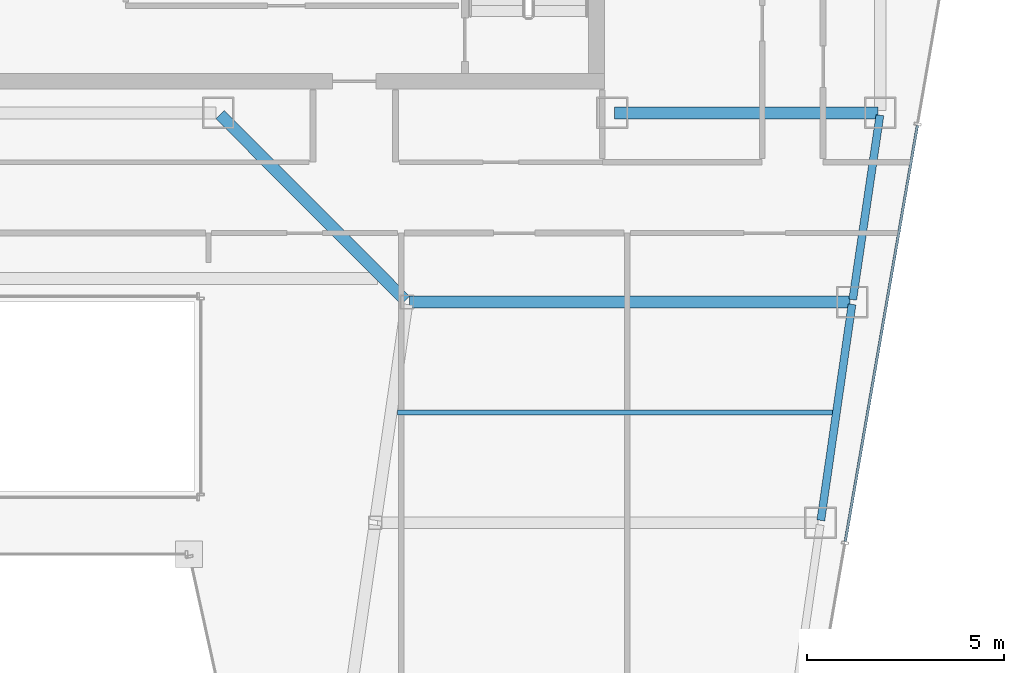
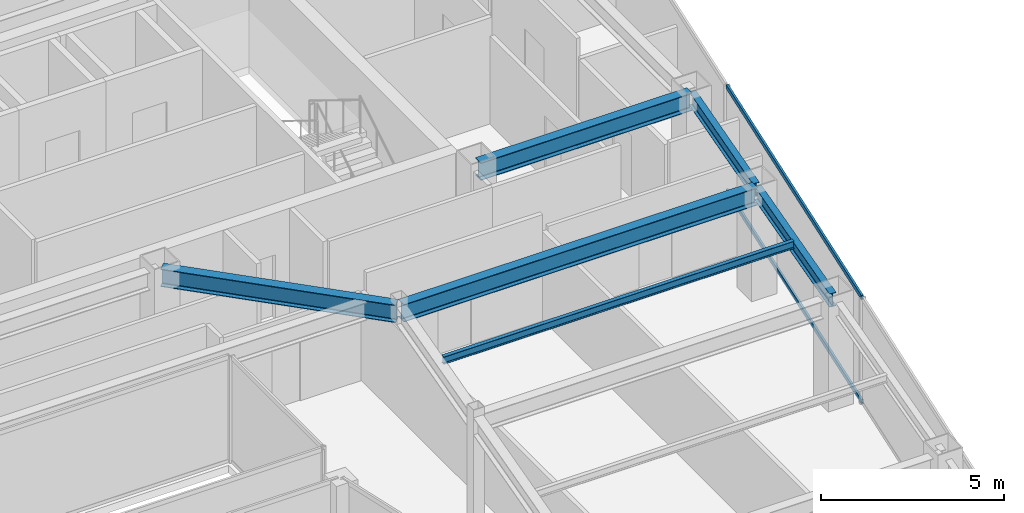
# One storey, part 17 of 32: 6 beams, 2 members, 1 element without a shape of its own.
"""IFC4 building model written with IfcOpenShell, lengths in metres."""

import ifcopenshell
import ifcopenshell.guid

model = None  # the IFC model being written
_history = None  # IfcOwnerHistory: only IFC2X3 demands one
_inside = {}  # id of a spatial element -> (the spatial element, [elements in it])
_under = {}  # id of a project, library or spatial element -> (it, [spatial elements below it])
_declared = {}  # id of a project -> (the project, [libraries it declares])
_typed = {}  # id of a type object -> (the type object, [elements of that type])
_made_of = {}  # id of a material, layer set ... -> (it, [elements and type objects made of it])


def new_model(schema):
    """Start an empty IFC model of exactly this schema.

    Asked for "IFC4X3", IfcOpenShell would pick the latest addendum, in which some entities
    have other attributes; the version numbers below select the first issue.
    IFC2X3 requires an IfcOwnerHistory on every rooted entity: one is made here for all.
    """
    global model, _history
    if schema == "IFC4X3":
        model = ifcopenshell.file(schema_version=(4, 3, 0, 0))
    else:
        model = ifcopenshell.file(schema=schema)
    _inside.clear()
    _under.clear()
    _declared.clear()
    _typed.clear()
    _made_of.clear()
    _history = None
    if model.schema == "IFC2X3":
        org = make("IfcOrganization", Name="unknown")
        user = make(
            "IfcPersonAndOrganization",
            ThePerson=make("IfcPerson", FamilyName="unknown"),
            TheOrganization=org,
        )
        app = make(
            "IfcApplication",
            ApplicationDeveloper=org,
            Version="unknown",
            ApplicationFullName="unknown",
            ApplicationIdentifier="unknown",
        )
        _history = make(
            "IfcOwnerHistory",
            OwningUser=user,
            OwningApplication=app,
            ChangeAction="ADDED",
            CreationDate=0,
        )
    return model


def make(cls, **values):
    """One entity of the class cls with the attributes given. An attribute that is None is left unset."""
    return model.create_entity(
        cls, **{name: value for name, value in values.items() if value is not None}
    )


def rooted(cls, **values):
    """An entity with a GlobalId (a new one), such as an element, a storey or a relation."""
    return make(cls, GlobalId=ifcopenshell.guid.new(), OwnerHistory=_history, **values)


def si_unit(unit_type, name, prefix=None):
    """IfcSIUnit, for example si_unit("LENGTHUNIT", "METRE", prefix="MILLI")."""
    return make("IfcSIUnit", UnitType=unit_type, Prefix=prefix, Name=name)


def assignment(units):
    """IfcUnitAssignment: the units of a project."""
    return None if units is None else make("IfcUnitAssignment", Units=units)


def point(xyz):
    """IfcCartesianPoint."""
    return None if xyz is None else make("IfcCartesianPoint", Coordinates=xyz)


def direction(xyz):
    """IfcDirection."""
    return None if xyz is None else make("IfcDirection", DirectionRatios=xyz)


def frame(location, z_axis=None, x_axis=None):
    """IfcAxis2Placement3D, a coordinate frame: its origin and axes. An axis left out is left unset."""
    return make(
        "IfcAxis2Placement3D",
        Location=point(location),
        Axis=direction(z_axis),
        RefDirection=direction(x_axis),
    )


def frame_2d(location, x_axis=None):
    """IfcAxis2Placement2D, a coordinate frame in the plane: its origin and x axis."""
    return make(
        "IfcAxis2Placement2D", Location=point(location), RefDirection=direction(x_axis)
    )


def origin():
    """The frame at (0, 0, 0) with its axes left unset."""
    return frame((0.0, 0.0, 0.0))


def origin_2d():
    """The frame at (0, 0) in the plane with its x axis left unset."""
    return frame_2d((0.0, 0.0))


def place(relative_to, where):
    """IfcLocalPlacement: puts the frame where relative to a parent placement (None: the world)."""
    return make(
        "IfcLocalPlacement", PlacementRelTo=relative_to, RelativePlacement=where
    )


def context(
    kind, dimensions, precision=None, world=None, true_north=None, identifier=None
):
    """IfcGeometricRepresentationContext, for example the 3D "Model" context."""
    return make(
        "IfcGeometricRepresentationContext",
        ContextIdentifier=identifier,
        ContextType=kind,
        CoordinateSpaceDimension=dimensions,
        Precision=precision,
        WorldCoordinateSystem=world,
        TrueNorth=true_north,
    )


def subcontext(parent, identifier, kind, view, scale=None):
    """IfcGeometricRepresentationSubContext, for example "Body" below "Model"."""
    return make(
        "IfcGeometricRepresentationSubContext",
        ContextIdentifier=identifier,
        ContextType=kind,
        ParentContext=parent,
        TargetScale=scale,
        TargetView=view,
    )


def project(units=None, contexts=None):
    """IfcProject with its units and contexts."""
    return rooted(
        "IfcProject",
        Name="project",
        RepresentationContexts=contexts,
        UnitsInContext=assignment(units),
    )


def spatial(cls, under=None, at=None, **own):
    """A site, building, storey or space (cls), placed at a placement, below another one or the project."""
    s = rooted(cls, ObjectPlacement=at, **own)
    if under is not None:
        _under.setdefault(under.id(), (under, []))[1].append(s)
    return s


def profile(cls, at=None, kind="AREA", **sizes):
    """A parametric profile (cls). Its sizes go by their IFC names, for example OverallWidth=200.0."""
    return make(cls, ProfileType=kind, Position=at, **sizes)


def hollow_rectangle(**sizes):
    """IfcRectangleHollowProfileDef."""
    return profile("IfcRectangleHollowProfileDef", **sizes)


def i_section(**sizes):
    """IfcIShapeProfileDef."""
    return profile("IfcIShapeProfileDef", **sizes)


def extrude(swept, where, along, depth):
    """IfcExtrudedAreaSolid: the profile swept, set in the frame where, extruded along a direction by depth."""
    return make(
        "IfcExtrudedAreaSolid",
        SweptArea=swept,
        Position=where,
        ExtrudedDirection=direction(along),
        Depth=depth,
    )


def shape(context_of_items, identifier, shape_type, items):
    """IfcShapeRepresentation: the items that make up one representation, for example the "Body"."""
    return make(
        "IfcShapeRepresentation",
        ContextOfItems=context_of_items,
        RepresentationIdentifier=identifier,
        RepresentationType=shape_type,
        Items=items,
    )


def material(Name=None, Category=None):
    """IfcMaterial."""
    return make("IfcMaterial", Name=Name, Category=Category)


def material_profile(
    of_material, cross_section, Name=None, Category=None, Priority=None
):
    """IfcMaterialProfile: a cross section and its material."""
    return make(
        "IfcMaterialProfile",
        Name=Name,
        Material=of_material,
        Profile=cross_section,
        Priority=Priority,
        Category=Category,
    )


def profile_set(profiles, Name=None, composite=None):
    """IfcMaterialProfileSet."""
    return make(
        "IfcMaterialProfileSet",
        Name=Name,
        MaterialProfiles=profiles,
        CompositeProfile=composite,
    )


def made_of(thing, what):
    """Note that an element or type object is made of a material, layer set ...; save() writes the relation."""
    if what is not None:
        _made_of.setdefault(what.id(), (what, []))[1].append(thing)
    return thing


def type_object(cls, material=None, **own):
    """A type object (cls), such as IfcWallType, which elements share."""
    return made_of(rooted(cls, **own), material)


def element(
    cls,
    number,
    at=None,
    inside=None,
    cuts=None,
    type_object=None,
    material=None,
    context=None,
    identifier="Body",
    shape_type=None,
    held_by="IfcProductDefinitionShape",
    body=None,
    shapes=None,
    **own,
):
    """One element of the class cls, such as IfcWall. Its Tag is "e" and its number.

    at: its placement. inside: the storey or other place that contains it. cuts: it is an
    opening in that element (IfcRelVoidsElement). A single representation is given by context,
    identifier, shape_type and body (its items); several are given by shapes. held_by: the class
    of the entity that holds the representations. save() writes the other relations.
    """
    e = rooted(cls, Tag="e%d" % number, ObjectPlacement=at, **own)
    if body is not None:
        shapes = [shape(context, identifier, shape_type, body)]
    if shapes is not None:
        e.Representation = make(held_by, Representations=shapes)
    if inside is not None:
        _inside.setdefault(inside.id(), (inside, []))[1].append(e)
    if cuts is not None:
        rooted(
            "IfcRelVoidsElement", RelatingBuildingElement=cuts, RelatedOpeningElement=e
        )
    if type_object is not None:
        _typed.setdefault(type_object.id(), (type_object, []))[1].append(e)
    return made_of(e, material)


def aggregate(whole, parts):
    """IfcRelAggregates: a whole, such as a stair, and the parts it consists of."""
    return rooted("IfcRelAggregates", RelatingObject=whole, RelatedObjects=parts)


def save(model, path):
    """Write the relations noted so far, then the file.

    IfcRelAggregates (storeys below a building ...), IfcRelContainedInSpatialStructure (elements
    in a storey), IfcRelDefinesByType, IfcRelAssociatesMaterial and IfcRelDeclares: one each for
    every whole, place, type object, material and project.
    """
    for whole, parts in _under.values():
        aggregate(whole, parts)
    for where, things in _inside.values():
        rooted(
            "IfcRelContainedInSpatialStructure",
            RelatedElements=things,
            RelatingStructure=where,
        )
    for kind, things in _typed.values():
        rooted("IfcRelDefinesByType", RelatedObjects=things, RelatingType=kind)
    for what, things in _made_of.values():
        rooted("IfcRelAssociatesMaterial", RelatedObjects=things, RelatingMaterial=what)
    for by, libraries in _declared.values():
        rooted("IfcRelDeclares", RelatingContext=by, RelatedDefinitions=libraries)
    model.write(path)


model = new_model("IFC4")

# Units and contexts
model_context = context("Model", 3, precision=1e-05, world=origin(), true_north=direction((0.0, 1.0)))
body_context = subcontext(model_context, "Body", "Model", "MODEL_VIEW")
ifc_project = project(units=[si_unit("LENGTHUNIT", "METRE"), si_unit("AREAUNIT", "SQUARE_METRE"), si_unit("VOLUMEUNIT", "CUBIC_METRE"), si_unit("PLANEANGLEUNIT", "RADIAN"), si_unit("MASSUNIT", "GRAM", prefix="KILO")], contexts=[model_context])

# Site, building, storey
site_placement = place(None, origin())
site = spatial("IfcSite", under=ifc_project, at=site_placement, CompositionType="ELEMENT")
building_placement = place(site_placement, origin())
building = spatial("IfcBuilding", under=site, at=building_placement, Name="Saevonmaru Cultural Tower", CompositionType="ELEMENT")
storey_placement = place(building_placement, frame((0.0, 0.0, 242.0)))
storey = spatial("IfcBuildingStorey", under=building, at=storey_placement, Name="L56", CompositionType="ELEMENT", Elevation=242.0)

# Beams
ifc_material_1 = material(Name="Steel SM355", Category="steel")
ifc_material_profile_1 = material_profile(ifc_material_1, i_section(OverallWidth=0.300048828125, OverallDepth=0.587890625, WebThickness=0.011962890625, FlangeThickness=0.02001953125, FilletRadius=0.02392578125, at=origin_2d()), Name="H-588x300x12x20")
ifc_profile_set_1 = profile_set([ifc_material_profile_1], Name="Steel SM355")
beam_type_1 = type_object("IfcBeamType", Name="BM-G-H588", PredefinedType="BEAM", material=ifc_profile_set_1)
beam_1_placement = place(storey_placement, frame((46.4599609375, 42.39990234375, 3.256103515625), z_axis=(1.0, 0.0, 0.0), x_axis=(0.0, 1.0, 0.0)))
element("IfcBeam", 1, at=beam_1_placement, inside=storey, type_object=beam_type_1, Name="L56 Core South Girder 5", PredefinedType="BEAM", context=body_context, shape_type="SweptSolid", body=[
    extrude(i_section(OverallWidth=0.300048828125, OverallDepth=0.587890625, WebThickness=0.011962890625, FlangeThickness=0.02001953125, FilletRadius=0.02392578125, at=origin_2d()), origin(), (0.0, 0.0, 1.0), 6.679931640625),
])
beam_2_placement = place(storey_placement, frame((41.149658203125, 37.642578125, 3.256103515625), z_axis=(-0.706538566564, 0.707674539572, 0.0), x_axis=(-0.707674539572, -0.706538566564, 0.0)))
element("IfcBeam", 2, at=beam_2_placement, inside=storey, type_object=beam_type_1, Name="L56 East Atrium Girder 4", PredefinedType="BEAM", context=body_context, shape_type="SweptSolid", body=[
    extrude(i_section(OverallWidth=0.300048828125, OverallDepth=0.587890625, WebThickness=0.011962890625, FlangeThickness=0.02001953125, FilletRadius=0.02392578125, at=origin_2d()), origin(), (0.0, 0.0, 1.0), 6.662353515625),
])
beam_3_placement = place(storey_placement, frame((41.251953125, 37.60009765625, 3.256103515625), z_axis=(1.0, 0.0, 0.0), x_axis=(0.0, 1.0, 0.0)))
element("IfcBeam", 3, at=beam_3_placement, inside=storey, type_object=beam_type_1, Name="L56 East Wing Transverse Girder 4", PredefinedType="BEAM", context=body_context, shape_type="SweptSolid", body=[
    extrude(i_section(OverallWidth=0.300048828125, OverallDepth=0.587890625, WebThickness=0.011962890625, FlangeThickness=0.02001953125, FilletRadius=0.02392578125, at=origin_2d()), origin(), (0.0, 0.0, 1.0), 11.179931640625),
])
ifc_material_profile_2 = material_profile(ifc_material_1, i_section(OverallWidth=0.125, OverallDepth=0.25, WebThickness=0.006103515625, FlangeThickness=0.009033203125, FilletRadius=0.008056640625, at=origin_2d()), Name="H-250x125x6x9")
ifc_profile_set_2 = profile_set([ifc_material_profile_2], Name="Steel SM355")
beam_type_2 = type_object("IfcBeamType", Name="BM-J-H250", PredefinedType="JOIST", material=ifc_profile_set_2)
beam_4_placement = place(storey_placement, frame((40.945556640625, 34.800048828125, 3.425048828125), z_axis=(1.0, 0.0, 0.0), x_axis=(0.0, 1.0, 0.0)))
element("IfcBeam", 4, at=beam_4_placement, inside=storey, type_object=beam_type_2, Name="L56 East Wing Floor Joist 3", PredefinedType="JOIST", context=body_context, shape_type="SweptSolid", body=[
    extrude(i_section(OverallWidth=0.125, OverallDepth=0.25, WebThickness=0.006103515625, FlangeThickness=0.009033203125, FilletRadius=0.008056640625, at=origin_2d()), origin(), (0.0, 0.0, 1.0), 11.08203125),
])
ifc_material_profile_3 = material_profile(ifc_material_1, i_section(OverallWidth=0.199951171875, OverallDepth=0.449951171875, WebThickness=0.009033203125, FlangeThickness=0.013916015625, FilletRadius=0.01806640625, at=origin_2d()), Name="H-450x200x9x14")
ifc_profile_set_3 = profile_set([ifc_material_profile_3], Name="Steel SM355")
beam_type_3 = type_object("IfcBeamType", Name="BM-SP-H450", PredefinedType="SPANDREL", material=ifc_profile_set_3)
beam_5_placement = place(storey_placement, frame((51.691650390625, 32.059326171875, 3.324951171875), z_axis=(0.142964121327, 0.989727871697, 0.0), x_axis=(-0.989727871697, 0.142964121327, 0.0)))
element("IfcBeam", 5, at=beam_5_placement, inside=storey, type_object=beam_type_3, Name="L56 East Splayed Spandrel 3", PredefinedType="SPANDREL", context=body_context, shape_type="SweptSolid", body=[
    extrude(i_section(OverallWidth=0.199951171875, OverallDepth=0.449951171875, WebThickness=0.009033203125, FlangeThickness=0.013916015625, FilletRadius=0.01806640625, at=origin_2d()), origin(), (0.0, 0.0, 1.0), 5.5380859375),
])
beam_6_placement = place(storey_placement, frame((52.500732421875, 37.659423828125, 3.324951171875), z_axis=(0.145912860028, 0.989297446312, 0.0), x_axis=(-0.989297446312, 0.145912860028, 0.0)))
element("IfcBeam", 6, at=beam_6_placement, inside=storey, type_object=beam_type_3, Name="L56 East Splayed Spandrel 4", PredefinedType="SPANDREL", context=body_context, shape_type="SweptSolid", body=[
    extrude(i_section(OverallWidth=0.199951171875, OverallDepth=0.449951171875, WebThickness=0.009033203125, FlangeThickness=0.013916015625, FilletRadius=0.01806640625, at=origin_2d()), origin(), (0.0, 0.0, 1.0), 4.731689453125),
])

# Curtain wall, members
ifc_material_2 = material(Name="Satin Bronze Anodised Aluminium", Category="aluminium")
curtain_wall_type = type_object("IfcCurtainWallType", Name="CW-TYP-B", PredefinedType="NOTDEFINED", material=ifc_material_2)
curtain_wall_placement = place(storey_placement, origin())
curtain_wall = element("IfcCurtainWall", 7, at=curtain_wall_placement, inside=storey, type_object=curtain_wall_type, Name="L56 Unitised Curtain Wall E8", PredefinedType="NOTDEFINED")
ifc_material_profile_4 = material_profile(ifc_material_2, hollow_rectangle(XDim=0.06494140625, YDim=0.14990234375, WallThickness=0.00390625, at=origin_2d()), Name="ALU-TRAN-150x65x4")
ifc_profile_set_4 = profile_set([ifc_material_profile_4], Name="Satin Bronze Anodised Aluminium")
member_type = type_object("IfcMemberType", Name="TR-CW-150x65", PredefinedType="USERDEFINED", material=ifc_profile_set_4)
member_1_placement = place(storey_placement, frame((52.31103515625, 31.518310546875, 0.032470703125), z_axis=(0.170795272137, 0.985306538604, 0.0), x_axis=(-0.985306538604, 0.170795272137, 0.0)))
member_1 = element("IfcMember", 8, at=member_1_placement, type_object=member_type, Name="CW-TW-L56-E8 transom 2.1", ObjectType="TRANSOM", PredefinedType="USERDEFINED", context=body_context, shape_type="SweptSolid", body=[
    extrude(hollow_rectangle(XDim=0.06494140625, YDim=0.14990234375, WallThickness=0.00390625, at=origin_2d()), origin(), (0.0, 0.0, 1.0), 10.720703125),
])
member_2_placement = place(storey_placement, frame((52.31103515625, 31.518310546875, 3.517578125), z_axis=(0.170795272137, 0.985306538604, 0.0), x_axis=(-0.985306538604, 0.170795272137, 0.0)))
member_2 = element("IfcMember", 9, at=member_2_placement, type_object=member_type, Name="CW-TW-L56-E8 transom 2.2", ObjectType="TRANSOM", PredefinedType="USERDEFINED", context=body_context, shape_type="SweptSolid", body=[
    extrude(hollow_rectangle(XDim=0.06494140625, YDim=0.14990234375, WallThickness=0.00390625, at=origin_2d()), origin(), (0.0, 0.0, 1.0), 10.720703125),
])
aggregate(curtain_wall, [member_1, member_2])

save(model, "model.ifc")
